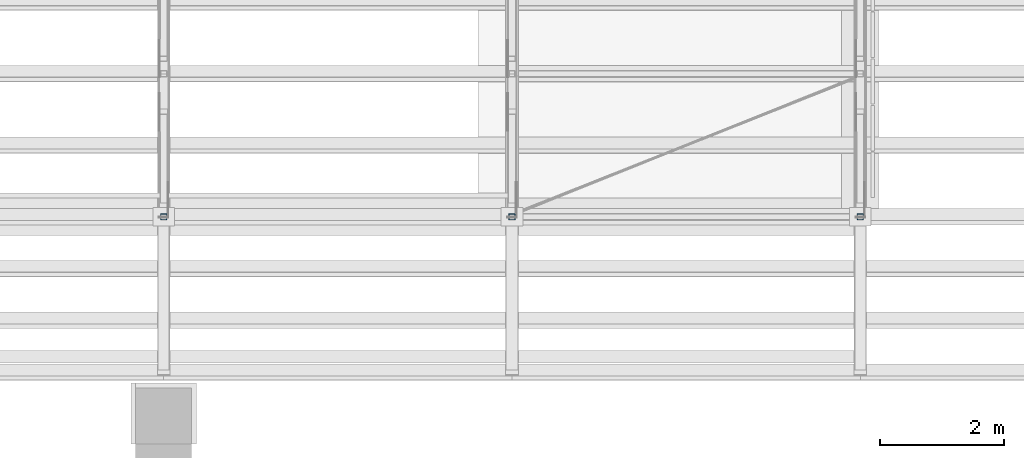
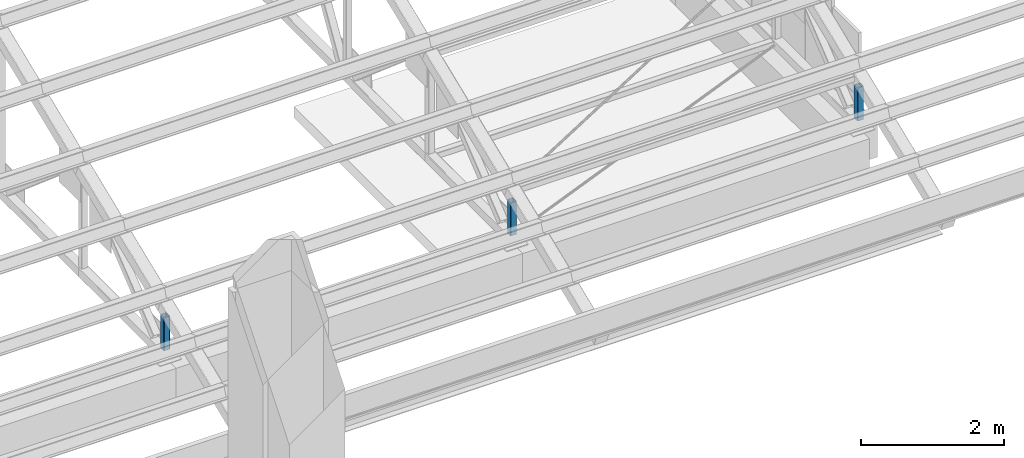
# One storey, part 33 of 71: 3 members.
"""IFC4 building model written with IfcOpenShell, lengths in metres."""

from ifc_helpers import new_model, si_unit, direction, frame, origin, origin_2d, place, context, subcontext, project, spatial, hollow_rectangle, extrude, material, material_profile, profile_set, type_object, element, save


model = new_model("IFC4")

# Units and contexts
model_context = context("Model", 3, precision=1e-05, world=origin(), true_north=direction((0.0, 1.0)))
body_context = subcontext(model_context, "Body", "Model", "MODEL_VIEW")
ifc_project = project(units=[si_unit("LENGTHUNIT", "METRE"), si_unit("AREAUNIT", "SQUARE_METRE"), si_unit("VOLUMEUNIT", "CUBIC_METRE"), si_unit("PLANEANGLEUNIT", "RADIAN"), si_unit("MASSUNIT", "GRAM", prefix="KILO")], contexts=[model_context])

# Site, building, storey
site_placement = place(None, origin())
site = spatial("IfcSite", under=ifc_project, at=site_placement, CompositionType="ELEMENT")
building_placement = place(site_placement, origin())
building = spatial("IfcBuilding", under=site, at=building_placement, Name="Wasatch Bagh Community Centre", CompositionType="ELEMENT")
storey_placement = place(building_placement, frame((0.0, 0.0, 12.60009765625)))
storey = spatial("IfcBuildingStorey", under=building, at=storey_placement, Name="L03", CompositionType="ELEMENT", Elevation=12.60009765625)

# Members
ifc_material = material(Name="ASTM A500 Grade C steel", Category="steel")
ifc_material_profile = material_profile(ifc_material, hollow_rectangle(XDim=0.1015625, YDim=0.1015625, WallThickness=0.005859375, InnerFilletRadius=0.005859375, OuterFilletRadius=0.01171875, at=origin_2d()), Name="HSS4x4x1/4")
ifc_profile_set = profile_set([ifc_material_profile], Name="ASTM A500 Grade C steel")
member_type = type_object("IfcMemberType", Name="SH HSS4x4x1/4 post", PredefinedType="POST", material=ifc_profile_set)
for number, where, z_axis, x_axis, name in (
    (1, (134.60009765625, 38.199951171875, 0.76220703125), (0.0, 0.0, 1.0), (1.0, 0.0, 0.0), "SH.SA5.PS01"),
    (2, (140.199951171875, 38.199951171875, 0.76220703125), (0.0, 0.0, 1.0), (1.0, 0.0, 0.0), "SH.SA6.PS01"),
    (3, (145.800048828125, 38.199951171875, 0.76220703125), (0.0, 0.0, 1.0), (1.0, 0.0, 0.0), "SH.SA7.PS01"),
):
    element("IfcMember", number, at=place(storey_placement, frame(where, z_axis=z_axis, x_axis=x_axis)), inside=storey, type_object=member_type, Name=name, PredefinedType="POST", context=body_context, shape_type="SweptSolid", body=[
        extrude(hollow_rectangle(XDim=0.1015625, YDim=0.1015625, WallThickness=0.005859375, InnerFilletRadius=0.005859375, OuterFilletRadius=0.01171875, at=origin_2d()), origin(), (0.0, 0.0, 1.0), 0.5673828125),
    ])

save(model, "model.ifc")
